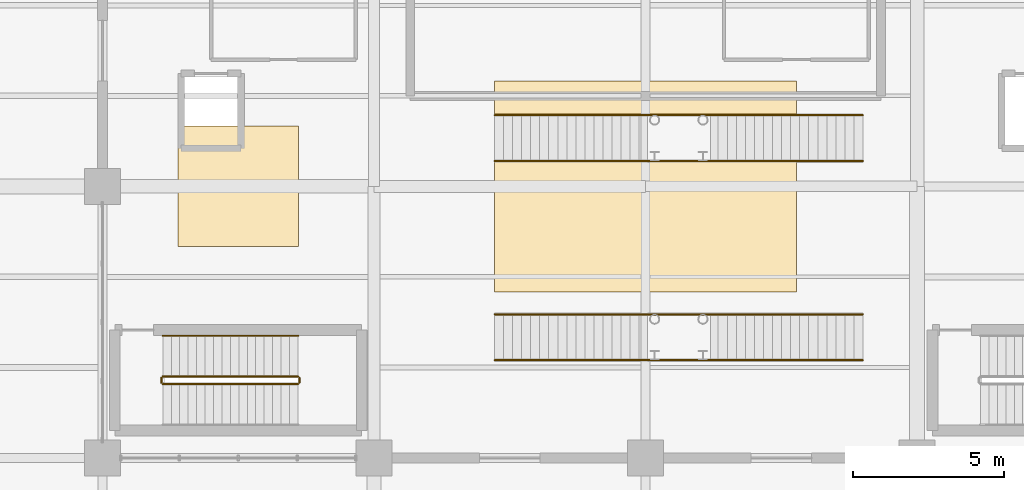
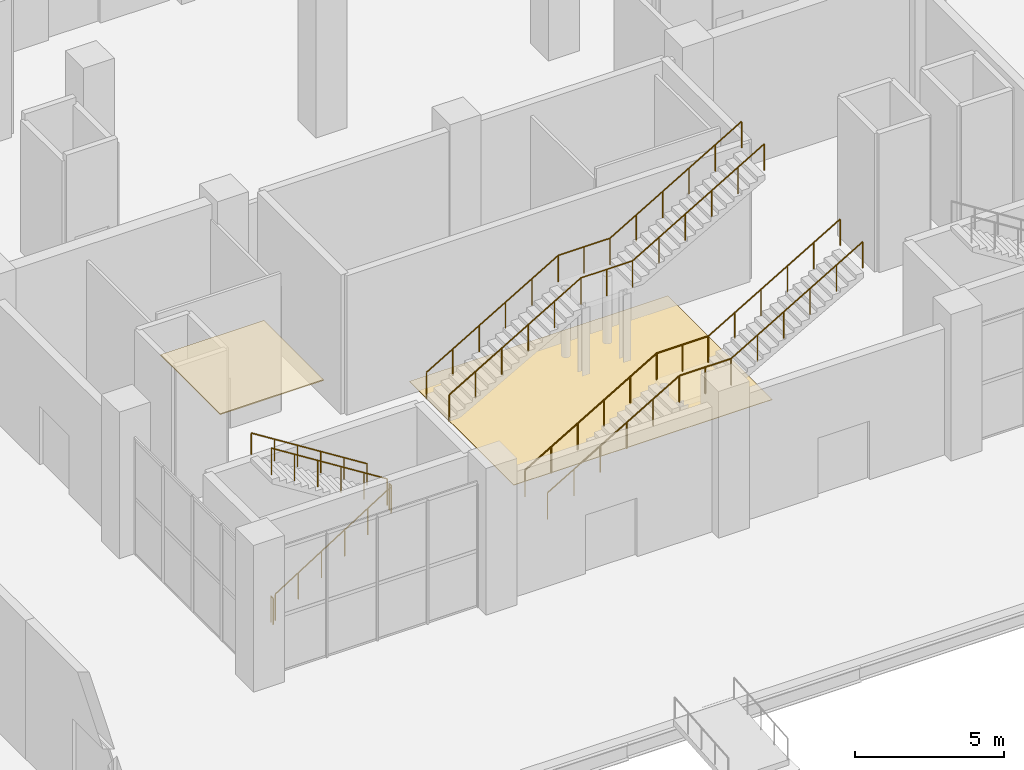
# One storey, part 136 of 144: 9 railings, 2 coverings.
"""IFC4 building model written with IfcOpenShell, lengths in metres."""

import ifcopenshell
import ifcopenshell.guid

model = None  # the IFC model being written
_history = None  # IfcOwnerHistory: only IFC2X3 demands one
_inside = {}  # id of a spatial element -> (the spatial element, [elements in it])
_under = {}  # id of a project, library or spatial element -> (it, [spatial elements below it])
_declared = {}  # id of a project -> (the project, [libraries it declares])
_typed = {}  # id of a type object -> (the type object, [elements of that type])
_made_of = {}  # id of a material, layer set ... -> (it, [elements and type objects made of it])


def new_model(schema):
    """Start an empty IFC model of exactly this schema.

    Asked for "IFC4X3", IfcOpenShell would pick the latest addendum, in which some entities
    have other attributes; the version numbers below select the first issue.
    IFC2X3 requires an IfcOwnerHistory on every rooted entity: one is made here for all.
    """
    global model, _history
    if schema == "IFC4X3":
        model = ifcopenshell.file(schema_version=(4, 3, 0, 0))
    else:
        model = ifcopenshell.file(schema=schema)
    _inside.clear()
    _under.clear()
    _declared.clear()
    _typed.clear()
    _made_of.clear()
    _history = None
    if model.schema == "IFC2X3":
        org = make("IfcOrganization", Name="unknown")
        user = make(
            "IfcPersonAndOrganization",
            ThePerson=make("IfcPerson", FamilyName="unknown"),
            TheOrganization=org,
        )
        app = make(
            "IfcApplication",
            ApplicationDeveloper=org,
            Version="unknown",
            ApplicationFullName="unknown",
            ApplicationIdentifier="unknown",
        )
        _history = make(
            "IfcOwnerHistory",
            OwningUser=user,
            OwningApplication=app,
            ChangeAction="ADDED",
            CreationDate=0,
        )
    return model


def make(cls, **values):
    """One entity of the class cls with the attributes given. An attribute that is None is left unset."""
    return model.create_entity(
        cls, **{name: value for name, value in values.items() if value is not None}
    )


def rooted(cls, **values):
    """An entity with a GlobalId (a new one), such as an element, a storey or a relation."""
    return make(cls, GlobalId=ifcopenshell.guid.new(), OwnerHistory=_history, **values)


def si_unit(unit_type, name, prefix=None):
    """IfcSIUnit, for example si_unit("LENGTHUNIT", "METRE", prefix="MILLI")."""
    return make("IfcSIUnit", UnitType=unit_type, Prefix=prefix, Name=name)


def assignment(units):
    """IfcUnitAssignment: the units of a project."""
    return None if units is None else make("IfcUnitAssignment", Units=units)


def point(xyz):
    """IfcCartesianPoint."""
    return None if xyz is None else make("IfcCartesianPoint", Coordinates=xyz)


def direction(xyz):
    """IfcDirection."""
    return None if xyz is None else make("IfcDirection", DirectionRatios=xyz)


def frame(location, z_axis=None, x_axis=None):
    """IfcAxis2Placement3D, a coordinate frame: its origin and axes. An axis left out is left unset."""
    return make(
        "IfcAxis2Placement3D",
        Location=point(location),
        Axis=direction(z_axis),
        RefDirection=direction(x_axis),
    )


def frame_2d(location, x_axis=None):
    """IfcAxis2Placement2D, a coordinate frame in the plane: its origin and x axis."""
    return make(
        "IfcAxis2Placement2D", Location=point(location), RefDirection=direction(x_axis)
    )


def origin():
    """The frame at (0, 0, 0) with its axes left unset."""
    return frame((0.0, 0.0, 0.0))


def origin_2d():
    """The frame at (0, 0) in the plane with its x axis left unset."""
    return frame_2d((0.0, 0.0))


def place(relative_to, where):
    """IfcLocalPlacement: puts the frame where relative to a parent placement (None: the world)."""
    return make(
        "IfcLocalPlacement", PlacementRelTo=relative_to, RelativePlacement=where
    )


def context(
    kind, dimensions, precision=None, world=None, true_north=None, identifier=None
):
    """IfcGeometricRepresentationContext, for example the 3D "Model" context."""
    return make(
        "IfcGeometricRepresentationContext",
        ContextIdentifier=identifier,
        ContextType=kind,
        CoordinateSpaceDimension=dimensions,
        Precision=precision,
        WorldCoordinateSystem=world,
        TrueNorth=true_north,
    )


def subcontext(parent, identifier, kind, view, scale=None):
    """IfcGeometricRepresentationSubContext, for example "Body" below "Model"."""
    return make(
        "IfcGeometricRepresentationSubContext",
        ContextIdentifier=identifier,
        ContextType=kind,
        ParentContext=parent,
        TargetScale=scale,
        TargetView=view,
    )


def project(units=None, contexts=None):
    """IfcProject with its units and contexts."""
    return rooted(
        "IfcProject",
        Name="project",
        RepresentationContexts=contexts,
        UnitsInContext=assignment(units),
    )


def spatial(cls, under=None, at=None, **own):
    """A site, building, storey or space (cls), placed at a placement, below another one or the project."""
    s = rooted(cls, ObjectPlacement=at, **own)
    if under is not None:
        _under.setdefault(under.id(), (under, []))[1].append(s)
    return s


def profile(cls, at=None, kind="AREA", **sizes):
    """A parametric profile (cls). Its sizes go by their IFC names, for example OverallWidth=200.0."""
    return make(cls, ProfileType=kind, Position=at, **sizes)


def rectangle(**sizes):
    """IfcRectangleProfileDef."""
    return profile("IfcRectangleProfileDef", **sizes)


def circle(**sizes):
    """IfcCircleProfileDef."""
    return profile("IfcCircleProfileDef", **sizes)


def extrude(swept, where, along, depth):
    """IfcExtrudedAreaSolid: the profile swept, set in the frame where, extruded along a direction by depth."""
    return make(
        "IfcExtrudedAreaSolid",
        SweptArea=swept,
        Position=where,
        ExtrudedDirection=direction(along),
        Depth=depth,
    )


def shape(context_of_items, identifier, shape_type, items):
    """IfcShapeRepresentation: the items that make up one representation, for example the "Body"."""
    return make(
        "IfcShapeRepresentation",
        ContextOfItems=context_of_items,
        RepresentationIdentifier=identifier,
        RepresentationType=shape_type,
        Items=items,
    )


def material(Name=None, Category=None):
    """IfcMaterial."""
    return make("IfcMaterial", Name=Name, Category=Category)


def layer(
    of_material, thickness, ventilated=None, Name=None, Category=None, Priority=None
):
    """IfcMaterialLayer: one layer of a wall or slab, of a material (None: an air gap)."""
    return make(
        "IfcMaterialLayer",
        Material=of_material,
        LayerThickness=thickness,
        IsVentilated=ventilated,
        Name=Name,
        Category=Category,
        Priority=Priority,
    )


def layer_set(layers, Name=None):
    """IfcMaterialLayerSet."""
    return make("IfcMaterialLayerSet", MaterialLayers=layers, LayerSetName=Name)


def made_of(thing, what):
    """Note that an element or type object is made of a material, layer set ...; save() writes the relation."""
    if what is not None:
        _made_of.setdefault(what.id(), (what, []))[1].append(thing)
    return thing


def type_object(cls, material=None, **own):
    """A type object (cls), such as IfcWallType, which elements share."""
    return made_of(rooted(cls, **own), material)


def element(
    cls,
    number,
    at=None,
    inside=None,
    cuts=None,
    type_object=None,
    material=None,
    context=None,
    identifier="Body",
    shape_type=None,
    held_by="IfcProductDefinitionShape",
    body=None,
    shapes=None,
    **own,
):
    """One element of the class cls, such as IfcWall. Its Tag is "e" and its number.

    at: its placement. inside: the storey or other place that contains it. cuts: it is an
    opening in that element (IfcRelVoidsElement). A single representation is given by context,
    identifier, shape_type and body (its items); several are given by shapes. held_by: the class
    of the entity that holds the representations. save() writes the other relations.
    """
    e = rooted(cls, Tag="e%d" % number, ObjectPlacement=at, **own)
    if body is not None:
        shapes = [shape(context, identifier, shape_type, body)]
    if shapes is not None:
        e.Representation = make(held_by, Representations=shapes)
    if inside is not None:
        _inside.setdefault(inside.id(), (inside, []))[1].append(e)
    if cuts is not None:
        rooted(
            "IfcRelVoidsElement", RelatingBuildingElement=cuts, RelatedOpeningElement=e
        )
    if type_object is not None:
        _typed.setdefault(type_object.id(), (type_object, []))[1].append(e)
    return made_of(e, material)


def aggregate(whole, parts):
    """IfcRelAggregates: a whole, such as a stair, and the parts it consists of."""
    return rooted("IfcRelAggregates", RelatingObject=whole, RelatedObjects=parts)


def save(model, path):
    """Write the relations noted so far, then the file.

    IfcRelAggregates (storeys below a building ...), IfcRelContainedInSpatialStructure (elements
    in a storey), IfcRelDefinesByType, IfcRelAssociatesMaterial and IfcRelDeclares: one each for
    every whole, place, type object, material and project.
    """
    for whole, parts in _under.values():
        aggregate(whole, parts)
    for where, things in _inside.values():
        rooted(
            "IfcRelContainedInSpatialStructure",
            RelatedElements=things,
            RelatingStructure=where,
        )
    for kind, things in _typed.values():
        rooted("IfcRelDefinesByType", RelatedObjects=things, RelatingType=kind)
    for what, things in _made_of.values():
        rooted("IfcRelAssociatesMaterial", RelatedObjects=things, RelatingMaterial=what)
    for by, libraries in _declared.values():
        rooted("IfcRelDeclares", RelatingContext=by, RelatedDefinitions=libraries)
    model.write(path)


model = new_model("IFC4")

# Units and contexts
model_context = context("Model", 3, precision=1e-05, world=origin(), true_north=direction((0.0, 1.0)))
body_context = subcontext(model_context, "Body", "Model", "MODEL_VIEW")
ifc_project = project(units=[si_unit("LENGTHUNIT", "METRE"), si_unit("AREAUNIT", "SQUARE_METRE"), si_unit("VOLUMEUNIT", "CUBIC_METRE"), si_unit("PLANEANGLEUNIT", "RADIAN"), si_unit("MASSUNIT", "GRAM", prefix="KILO")], contexts=[model_context])

# Site, building, storey
site_placement = place(None, origin())
site = spatial("IfcSite", under=ifc_project, at=site_placement, CompositionType="ELEMENT")
building_placement = place(site_placement, origin())
building = spatial("IfcBuilding", under=site, at=building_placement, Name="Sundgate Opera House", CompositionType="ELEMENT")
storey_placement = place(building_placement, origin())
storey = spatial("IfcBuildingStorey", under=building, at=storey_placement, Name="L00", CompositionType="ELEMENT", Elevation=0.0)

# Coverings
ifc_material_1 = material(Name="Perforated European oak acoustic ceiling", Category="wood")
ifc_layer_1 = layer(ifc_material_1, 0.044921875)
ifc_layer_set_1 = layer_set([ifc_layer_1], Name="Perforated European oak acoustic ceiling")
covering_type_1 = type_object("IfcCoveringType", Name="CV-CEIL-OAK", PredefinedType="CEILING", material=ifc_layer_set_1)
covering_1_placement = place(storey_placement, frame((40.5, 51.0, 5.655029296875), z_axis=(0.0, 0.0, 1.0), x_axis=(1.0, 0.0, 0.0)))
element("IfcCovering", 1, at=covering_1_placement, inside=storey, type_object=covering_type_1, Name="L00 Acoustic Ceiling CV0124", PredefinedType="CEILING", context=body_context, shape_type="SweptSolid", body=[
    extrude(rectangle(XDim=4.0, YDim=4.0, at=origin_2d()), origin(), (0.0, 0.0, 1.0), 0.044921875),
])
ifc_material_2 = material(Name="Honed Komstad limestone floor finish", Category="masonry")
ifc_layer_2 = layer(ifc_material_2, 0.02001953125)
ifc_layer_set_2 = layer_set([ifc_layer_2], Name="Honed Komstad limestone floor finish")
covering_type_2 = type_object("IfcCoveringType", Name="CV-FLR-STONE", PredefinedType="FLOORING", material=ifc_layer_set_2)
covering_2_placement = place(storey_placement, frame((54.0, 51.0, 0.0), z_axis=(0.0, 0.0, 1.0), x_axis=(1.0, 0.0, 0.0)))
element("IfcCovering", 2, at=covering_2_placement, inside=storey, type_object=covering_type_2, Name="L00 Floor Finish CV0136", PredefinedType="FLOORING", context=body_context, shape_type="SweptSolid", body=[
    extrude(rectangle(XDim=10.0, YDim=7.0, at=origin_2d()), origin(), (0.0, 0.0, 1.0), 0.02001953125),
])

# Railings
ifc_material_3 = material(Name="Painted steel S275 guardrail", Category="steel")
railing_type_1 = type_object("IfcRailingType", Name="RL-STAIR-GUARD-1100", PredefinedType="GUARDRAIL", material=ifc_material_3)
railing_1_placement = place(storey_placement, frame((38.0, 44.449951171875, 0.176513671875)))
element("IfcRailing", 3, at=railing_1_placement, inside=storey, type_object=railing_type_1, Name="ST01L00 Guardrail RL0016", PredefinedType="GUARDRAIL", context=body_context, shape_type="SweptSolid", body=[
    extrude(circle(Radius=0.02392578125, at=origin_2d()), frame((0.0, 0.0, 1.076171875), z_axis=(0.845997938375, 0.0, 0.533186166611), x_axis=(0.0, 1.0, 0.0)), (0.0, 0.0, 1.0), 5.29541015625),
    extrude(circle(Radius=0.02099609375, at=origin_2d()), origin(), (0.0, 0.0, 1.0), 1.052001953125),
    extrude(circle(Radius=0.02099609375, at=origin_2d()), frame((0.89599609375, 0.0, 0.564697265625)), (0.0, 0.0, 1.0), 1.052001953125),
    extrude(circle(Radius=0.02099609375, at=origin_2d()), frame((1.7919921875, 0.0, 1.12939453125)), (0.0, 0.0, 1.0), 1.052001953125),
    extrude(circle(Radius=0.02099609375, at=origin_2d()), frame((2.68798828125, 0.0, 1.694091796875)), (0.0, 0.0, 1.0), 1.052001953125),
    extrude(circle(Radius=0.02099609375, at=origin_2d()), frame((3.583984375, 0.0, 2.2587890625)), (0.0, 0.0, 1.0), 1.052001953125),
    extrude(circle(Radius=0.02099609375, at=origin_2d()), frame((4.47998046875, 0.0, 2.823486328125)), (0.0, 0.0, 1.0), 1.052001953125),
])
railing_2_placement = place(storey_placement, frame((42.530029296875, 44.5, 3.0)))
element("IfcRailing", 4, at=railing_2_placement, inside=storey, type_object=railing_type_1, Name="ST01L00 Guardrail RL0017", PredefinedType="GUARDRAIL", context=body_context, shape_type="SweptSolid", body=[
    extrude(circle(Radius=0.02392578125, at=origin_2d()), frame((0.0, 0.0, 1.076171875), z_axis=(0.0, 1.0, 0.0), x_axis=(-1.0, 0.0, 0.0)), (0.0, 0.0, 1.0), 0.14990234375),
    extrude(circle(Radius=0.02099609375, at=origin_2d()), origin(), (0.0, 0.0, 1.0), 1.052001953125),
    extrude(circle(Radius=0.02099609375, at=origin_2d()), frame((0.0, 0.14990234375, 0.0)), (0.0, 0.0, 1.0), 1.052001953125),
])
railing_3_placement = place(storey_placement, frame((42.47998046875, 44.699951171875, 3.176513671875)))
element("IfcRailing", 5, at=railing_3_placement, inside=storey, type_object=railing_type_1, Name="ST01L00 Guardrail RL0018", PredefinedType="GUARDRAIL", context=body_context, shape_type="SweptSolid", body=[
    extrude(circle(Radius=0.02392578125, at=origin_2d()), frame((0.0, 0.0, 1.076171875), z_axis=(-0.845997938375, 0.0, 0.533186166611), x_axis=(0.0, -1.0, 0.0)), (0.0, 0.0, 1.0), 5.29541015625),
    extrude(circle(Radius=0.02099609375, at=origin_2d()), origin(), (0.0, 0.0, 1.0), 1.052001953125),
    extrude(circle(Radius=0.02099609375, at=origin_2d()), frame((-0.89599609375, 0.0, 0.564697265625)), (0.0, 0.0, 1.0), 1.052001953125),
    extrude(circle(Radius=0.02099609375, at=origin_2d()), frame((-1.7919921875, 0.0, 1.12939453125)), (0.0, 0.0, 1.0), 1.052001953125),
    extrude(circle(Radius=0.02099609375, at=origin_2d()), frame((-2.68798828125, 0.0, 1.694091796875)), (0.0, 0.0, 1.0), 1.052001953125),
    extrude(circle(Radius=0.02099609375, at=origin_2d()), frame((-3.583984375, 0.0, 2.2587890625)), (0.0, 0.0, 1.0), 1.052001953125),
    extrude(circle(Radius=0.02099609375, at=origin_2d()), frame((-4.47998046875, 0.0, 2.823486328125)), (0.0, 0.0, 1.0), 1.052001953125),
])
railing_4_placement = place(storey_placement, frame((37.949951171875, 44.5, 0.0)))
element("IfcRailing", 6, at=railing_4_placement, inside=storey, type_object=railing_type_1, Name="ST01L00 Guardrail RL0019", PredefinedType="GUARDRAIL", context=body_context, shape_type="SweptSolid", body=[
    extrude(circle(Radius=0.02392578125, at=origin_2d()), frame((0.0, 0.0, 1.076171875), z_axis=(0.0, 1.0, 0.0), x_axis=(-1.0, 0.0, 0.0)), (0.0, 0.0, 1.0), 0.14990234375),
    extrude(circle(Radius=0.02099609375, at=origin_2d()), origin(), (0.0, 0.0, 1.0), 1.052001953125),
    extrude(circle(Radius=0.02099609375, at=origin_2d()), frame((0.0, 0.14990234375, 0.0)), (0.0, 0.0, 1.0), 1.052001953125),
])
railing_5_placement = place(storey_placement, frame((49.0, 45.239990234375, 0.0)))
element("IfcRailing", 7, at=railing_5_placement, inside=storey, type_object=railing_type_1, Name="ST09L00 Continuous Side Guardrail RL0276", PredefinedType="GUARDRAIL", context=body_context, shape_type="SweptSolid", body=[
    extrude(circle(Radius=0.02392578125, at=origin_2d()), frame((0.0, 0.0, 1.076171875), z_axis=(0.861938457885, 0.0, 0.507012913858), x_axis=(0.0, 1.0, 0.0)), (0.0, 0.0, 1.0), 5.9169921875),
    extrude(circle(Radius=0.02392578125, at=origin_2d()), frame((5.10009765625, 0.0, 4.076171875), z_axis=(1.0, 0.0, 0.0), x_axis=(0.0, 1.0, 0.0)), (0.0, 0.0, 1.0), 2.0),
    extrude(circle(Radius=0.02392578125, at=origin_2d()), frame((7.10009765625, 0.0, 4.076171875), z_axis=(0.861927850727, 0.0, 0.50703094594), x_axis=(0.0, 1.0, 0.0)), (0.0, 0.0, 1.0), 5.916748046875),
    extrude(circle(Radius=0.02099609375, at=origin_2d()), origin(), (0.0, 0.0, 1.0), 1.052001953125),
    extrude(circle(Radius=0.02099609375, at=origin_2d()), frame((1.02001953125, 0.0, 0.60009765625)), (0.0, 0.0, 1.0), 1.052001953125),
    extrude(circle(Radius=0.02099609375, at=origin_2d()), frame((2.0400390625, 0.0, 1.199951171875)), (0.0, 0.0, 1.0), 1.052001953125),
    extrude(circle(Radius=0.02099609375, at=origin_2d()), frame((3.06005859375, 0.0, 1.800048828125)), (0.0, 0.0, 1.0), 1.052001953125),
    extrude(circle(Radius=0.02099609375, at=origin_2d()), frame((4.080078125, 0.0, 2.39990234375)), (0.0, 0.0, 1.0), 1.052001953125),
    extrude(circle(Radius=0.02099609375, at=origin_2d()), frame((5.10009765625, 0.0, 3.0)), (0.0, 0.0, 1.0), 1.052001953125),
    extrude(circle(Radius=0.02099609375, at=origin_2d()), frame((6.10009765625, 0.0, 3.0)), (0.0, 0.0, 1.0), 1.052001953125),
    extrude(circle(Radius=0.02099609375, at=origin_2d()), frame((7.10009765625, 0.0, 3.0)), (0.0, 0.0, 1.0), 1.052001953125),
    extrude(circle(Radius=0.02099609375, at=origin_2d()), frame((8.1201171875, 0.0, 3.60009765625)), (0.0, 0.0, 1.0), 1.052001953125),
    extrude(circle(Radius=0.02099609375, at=origin_2d()), frame((9.14013671875, 0.0, 4.199951171875)), (0.0, 0.0, 1.0), 1.052001953125),
    extrude(circle(Radius=0.02099609375, at=origin_2d()), frame((10.159912109375, 0.0, 4.800048828125)), (0.0, 0.0, 1.0), 1.052001953125),
    extrude(circle(Radius=0.02099609375, at=origin_2d()), frame((11.179931640625, 0.0, 5.39990234375)), (0.0, 0.0, 1.0), 1.052001953125),
    extrude(circle(Radius=0.02099609375, at=origin_2d()), frame((12.199951171875, 0.0, 6.0)), (0.0, 0.0, 1.0), 1.052001953125),
])
railing_6_placement = place(storey_placement, frame((49.0, 46.760009765625, 0.0)))
element("IfcRailing", 8, at=railing_6_placement, inside=storey, type_object=railing_type_1, Name="ST09L00 Continuous Side Guardrail RL0277", PredefinedType="GUARDRAIL", context=body_context, shape_type="SweptSolid", body=[
    extrude(circle(Radius=0.02392578125, at=origin_2d()), frame((0.0, 0.0, 1.076171875), z_axis=(0.861938457885, 0.0, 0.507012913858), x_axis=(0.0, 1.0, 0.0)), (0.0, 0.0, 1.0), 5.9169921875),
    extrude(circle(Radius=0.02392578125, at=origin_2d()), frame((5.10009765625, 0.0, 4.076171875), z_axis=(1.0, 0.0, 0.0), x_axis=(0.0, 1.0, 0.0)), (0.0, 0.0, 1.0), 2.0),
    extrude(circle(Radius=0.02392578125, at=origin_2d()), frame((7.10009765625, 0.0, 4.076171875), z_axis=(0.861927850727, 0.0, 0.50703094594), x_axis=(0.0, 1.0, 0.0)), (0.0, 0.0, 1.0), 5.916748046875),
    extrude(circle(Radius=0.02099609375, at=origin_2d()), origin(), (0.0, 0.0, 1.0), 1.052001953125),
    extrude(circle(Radius=0.02099609375, at=origin_2d()), frame((1.02001953125, 0.0, 0.60009765625)), (0.0, 0.0, 1.0), 1.052001953125),
    extrude(circle(Radius=0.02099609375, at=origin_2d()), frame((2.0400390625, 0.0, 1.199951171875)), (0.0, 0.0, 1.0), 1.052001953125),
    extrude(circle(Radius=0.02099609375, at=origin_2d()), frame((3.06005859375, 0.0, 1.800048828125)), (0.0, 0.0, 1.0), 1.052001953125),
    extrude(circle(Radius=0.02099609375, at=origin_2d()), frame((4.080078125, 0.0, 2.39990234375)), (0.0, 0.0, 1.0), 1.052001953125),
    extrude(circle(Radius=0.02099609375, at=origin_2d()), frame((5.10009765625, 0.0, 3.0)), (0.0, 0.0, 1.0), 1.052001953125),
    extrude(circle(Radius=0.02099609375, at=origin_2d()), frame((6.10009765625, 0.0, 3.0)), (0.0, 0.0, 1.0), 1.052001953125),
    extrude(circle(Radius=0.02099609375, at=origin_2d()), frame((7.10009765625, 0.0, 3.0)), (0.0, 0.0, 1.0), 1.052001953125),
    extrude(circle(Radius=0.02099609375, at=origin_2d()), frame((8.1201171875, 0.0, 3.60009765625)), (0.0, 0.0, 1.0), 1.052001953125),
    extrude(circle(Radius=0.02099609375, at=origin_2d()), frame((9.14013671875, 0.0, 4.199951171875)), (0.0, 0.0, 1.0), 1.052001953125),
    extrude(circle(Radius=0.02099609375, at=origin_2d()), frame((10.159912109375, 0.0, 4.800048828125)), (0.0, 0.0, 1.0), 1.052001953125),
    extrude(circle(Radius=0.02099609375, at=origin_2d()), frame((11.179931640625, 0.0, 5.39990234375)), (0.0, 0.0, 1.0), 1.052001953125),
    extrude(circle(Radius=0.02099609375, at=origin_2d()), frame((12.199951171875, 0.0, 6.0)), (0.0, 0.0, 1.0), 1.052001953125),
])
railing_7_placement = place(storey_placement, frame((49.0, 51.840087890625, 0.0)))
element("IfcRailing", 9, at=railing_7_placement, inside=storey, type_object=railing_type_1, Name="ST10L00 Continuous Side Guardrail RL0278", PredefinedType="GUARDRAIL", context=body_context, shape_type="SweptSolid", body=[
    extrude(circle(Radius=0.02392578125, at=origin_2d()), frame((0.0, 0.0, 1.076171875), z_axis=(0.861938457885, 0.0, 0.507012913858), x_axis=(0.0, 1.0, 0.0)), (0.0, 0.0, 1.0), 5.9169921875),
    extrude(circle(Radius=0.02392578125, at=origin_2d()), frame((5.10009765625, 0.0, 4.076171875), z_axis=(1.0, 0.0, 0.0), x_axis=(0.0, 1.0, 0.0)), (0.0, 0.0, 1.0), 2.0),
    extrude(circle(Radius=0.02392578125, at=origin_2d()), frame((7.10009765625, 0.0, 4.076171875), z_axis=(0.861927850727, 0.0, 0.50703094594), x_axis=(0.0, 1.0, 0.0)), (0.0, 0.0, 1.0), 5.916748046875),
    extrude(circle(Radius=0.02099609375, at=origin_2d()), origin(), (0.0, 0.0, 1.0), 1.052001953125),
    extrude(circle(Radius=0.02099609375, at=origin_2d()), frame((1.02001953125, 0.0, 0.60009765625)), (0.0, 0.0, 1.0), 1.052001953125),
    extrude(circle(Radius=0.02099609375, at=origin_2d()), frame((2.0400390625, 0.0, 1.199951171875)), (0.0, 0.0, 1.0), 1.052001953125),
    extrude(circle(Radius=0.02099609375, at=origin_2d()), frame((3.06005859375, 0.0, 1.800048828125)), (0.0, 0.0, 1.0), 1.052001953125),
    extrude(circle(Radius=0.02099609375, at=origin_2d()), frame((4.080078125, 0.0, 2.39990234375)), (0.0, 0.0, 1.0), 1.052001953125),
    extrude(circle(Radius=0.02099609375, at=origin_2d()), frame((5.10009765625, 0.0, 3.0)), (0.0, 0.0, 1.0), 1.052001953125),
    extrude(circle(Radius=0.02099609375, at=origin_2d()), frame((6.10009765625, 0.0, 3.0)), (0.0, 0.0, 1.0), 1.052001953125),
    extrude(circle(Radius=0.02099609375, at=origin_2d()), frame((7.10009765625, 0.0, 3.0)), (0.0, 0.0, 1.0), 1.052001953125),
    extrude(circle(Radius=0.02099609375, at=origin_2d()), frame((8.1201171875, 0.0, 3.60009765625)), (0.0, 0.0, 1.0), 1.052001953125),
    extrude(circle(Radius=0.02099609375, at=origin_2d()), frame((9.14013671875, 0.0, 4.199951171875)), (0.0, 0.0, 1.0), 1.052001953125),
    extrude(circle(Radius=0.02099609375, at=origin_2d()), frame((10.159912109375, 0.0, 4.800048828125)), (0.0, 0.0, 1.0), 1.052001953125),
    extrude(circle(Radius=0.02099609375, at=origin_2d()), frame((11.179931640625, 0.0, 5.39990234375)), (0.0, 0.0, 1.0), 1.052001953125),
    extrude(circle(Radius=0.02099609375, at=origin_2d()), frame((12.199951171875, 0.0, 6.0)), (0.0, 0.0, 1.0), 1.052001953125),
])
railing_8_placement = place(storey_placement, frame((49.0, 53.360107421875, 0.0)))
element("IfcRailing", 10, at=railing_8_placement, inside=storey, type_object=railing_type_1, Name="ST10L00 Continuous Side Guardrail RL0279", PredefinedType="GUARDRAIL", context=body_context, shape_type="SweptSolid", body=[
    extrude(circle(Radius=0.02392578125, at=origin_2d()), frame((0.0, 0.0, 1.076171875), z_axis=(0.861938457885, 0.0, 0.507012913858), x_axis=(0.0, 1.0, 0.0)), (0.0, 0.0, 1.0), 5.9169921875),
    extrude(circle(Radius=0.02392578125, at=origin_2d()), frame((5.10009765625, 0.0, 4.076171875), z_axis=(1.0, 0.0, 0.0), x_axis=(0.0, 1.0, 0.0)), (0.0, 0.0, 1.0), 2.0),
    extrude(circle(Radius=0.02392578125, at=origin_2d()), frame((7.10009765625, 0.0, 4.076171875), z_axis=(0.861927850727, 0.0, 0.50703094594), x_axis=(0.0, 1.0, 0.0)), (0.0, 0.0, 1.0), 5.916748046875),
    extrude(circle(Radius=0.02099609375, at=origin_2d()), origin(), (0.0, 0.0, 1.0), 1.052001953125),
    extrude(circle(Radius=0.02099609375, at=origin_2d()), frame((1.02001953125, 0.0, 0.60009765625)), (0.0, 0.0, 1.0), 1.052001953125),
    extrude(circle(Radius=0.02099609375, at=origin_2d()), frame((2.0400390625, 0.0, 1.199951171875)), (0.0, 0.0, 1.0), 1.052001953125),
    extrude(circle(Radius=0.02099609375, at=origin_2d()), frame((3.06005859375, 0.0, 1.800048828125)), (0.0, 0.0, 1.0), 1.052001953125),
    extrude(circle(Radius=0.02099609375, at=origin_2d()), frame((4.080078125, 0.0, 2.39990234375)), (0.0, 0.0, 1.0), 1.052001953125),
    extrude(circle(Radius=0.02099609375, at=origin_2d()), frame((5.10009765625, 0.0, 3.0)), (0.0, 0.0, 1.0), 1.052001953125),
    extrude(circle(Radius=0.02099609375, at=origin_2d()), frame((6.10009765625, 0.0, 3.0)), (0.0, 0.0, 1.0), 1.052001953125),
    extrude(circle(Radius=0.02099609375, at=origin_2d()), frame((7.10009765625, 0.0, 3.0)), (0.0, 0.0, 1.0), 1.052001953125),
    extrude(circle(Radius=0.02099609375, at=origin_2d()), frame((8.1201171875, 0.0, 3.60009765625)), (0.0, 0.0, 1.0), 1.052001953125),
    extrude(circle(Radius=0.02099609375, at=origin_2d()), frame((9.14013671875, 0.0, 4.199951171875)), (0.0, 0.0, 1.0), 1.052001953125),
    extrude(circle(Radius=0.02099609375, at=origin_2d()), frame((10.159912109375, 0.0, 4.800048828125)), (0.0, 0.0, 1.0), 1.052001953125),
    extrude(circle(Radius=0.02099609375, at=origin_2d()), frame((11.179931640625, 0.0, 5.39990234375)), (0.0, 0.0, 1.0), 1.052001953125),
    extrude(circle(Radius=0.02099609375, at=origin_2d()), frame((12.199951171875, 0.0, 6.0)), (0.0, 0.0, 1.0), 1.052001953125),
])
ifc_material_4 = material(Name="Brushed stainless steel handrail", Category="steel")
railing_type_2 = type_object("IfcRailingType", Name="RL-STAIR-HAND-900", PredefinedType="HANDRAIL", material=ifc_material_4)
railing_9_placement = place(storey_placement, frame((42.47998046875, 46.050048828125, 3.176513671875)))
element("IfcRailing", 11, at=railing_9_placement, inside=storey, type_object=railing_type_2, Name="ST01L00 Handrail RL0021", PredefinedType="HANDRAIL", context=body_context, shape_type="SweptSolid", body=[
    extrude(circle(Radius=0.02392578125, at=origin_2d()), frame((0.0, 0.0, 0.8759765625), z_axis=(-0.845997938375, 0.0, 0.533186166611), x_axis=(0.0, -1.0, 0.0)), (0.0, 0.0, 1.0), 5.29541015625),
    extrude(circle(Radius=0.02099609375, at=origin_2d()), origin(), (0.0, 0.0, 1.0), 0.851806640625),
    extrude(circle(Radius=0.02099609375, at=origin_2d()), frame((-0.89599609375, 0.0, 0.564697265625)), (0.0, 0.0, 1.0), 0.851806640625),
    extrude(circle(Radius=0.02099609375, at=origin_2d()), frame((-1.7919921875, 0.0, 1.12939453125)), (0.0, 0.0, 1.0), 0.851806640625),
    extrude(circle(Radius=0.02099609375, at=origin_2d()), frame((-2.68798828125, 0.0, 1.694091796875)), (0.0, 0.0, 1.0), 0.851806640625),
    extrude(circle(Radius=0.02099609375, at=origin_2d()), frame((-3.583984375, 0.0, 2.2587890625)), (0.0, 0.0, 1.0), 0.851806640625),
    extrude(circle(Radius=0.02099609375, at=origin_2d()), frame((-4.47998046875, 0.0, 2.823486328125)), (0.0, 0.0, 1.0), 0.851806640625),
])

save(model, "model.ifc")
